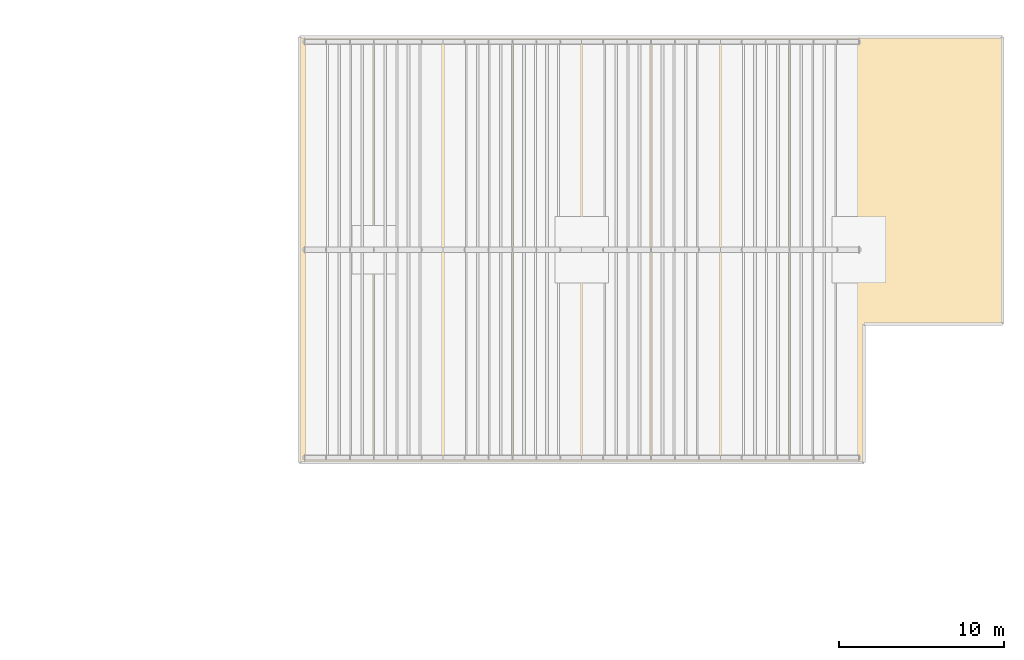
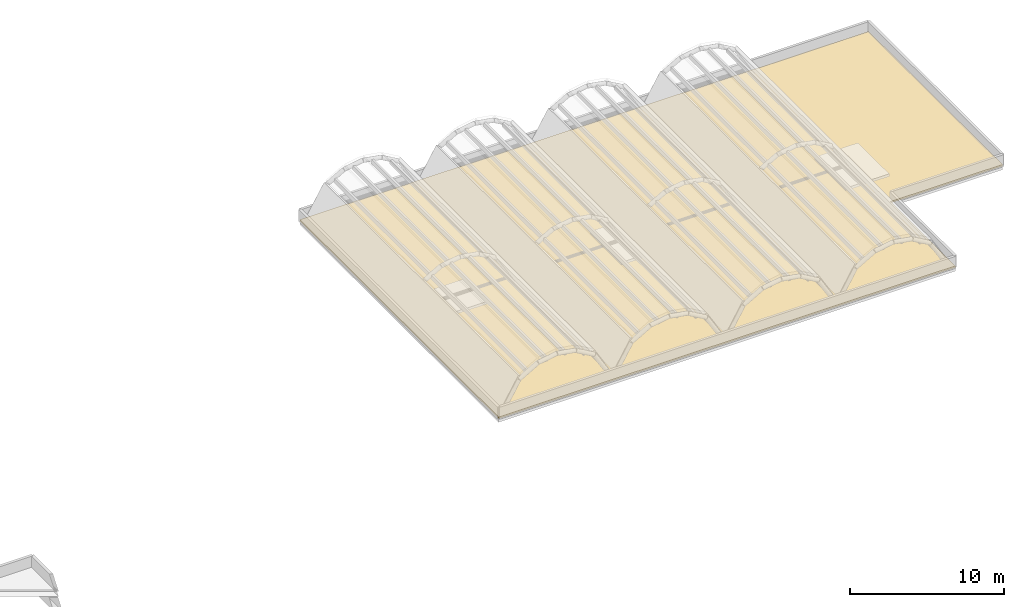
# One storey, part 33 of 34: 1 covering.
"""IFC4 building model written with IfcOpenShell, lengths in metres."""

from ifc_helpers import new_model, si_unit, direction, frame, origin, place, context, subcontext, project, spatial, polyline, outline, extrude, material, layer, layer_set, type_object, element, save


model = new_model("IFC4")

# Units and contexts
model_context = context("Model", 3, precision=1e-05, world=origin(), true_north=direction((0.0, 1.0)))
body_context = subcontext(model_context, "Body", "Model", "MODEL_VIEW")
ifc_project = project(units=[si_unit("LENGTHUNIT", "METRE"), si_unit("AREAUNIT", "SQUARE_METRE"), si_unit("VOLUMEUNIT", "CUBIC_METRE"), si_unit("PLANEANGLEUNIT", "RADIAN"), si_unit("MASSUNIT", "GRAM", prefix="KILO")], contexts=[model_context])

# Site, building, storey
site_placement = place(None, origin())
site = spatial("IfcSite", under=ifc_project, at=site_placement, CompositionType="ELEMENT")
building_placement = place(site_placement, origin())
building = spatial("IfcBuilding", under=site, at=building_placement, Name="Xazarin Passage Department Store", CompositionType="ELEMENT")
storey_placement = place(building_placement, frame((0.0, 0.0, 18.89990234375)))
storey = spatial("IfcBuildingStorey", under=building, at=storey_placement, Name="L04", CompositionType="ELEMENT", Elevation=18.89990234375)

# Covering
ifc_material = material(Name="Insulated waterproof roofing membrane")
ifc_layer = layer(ifc_material, 0.1201171875)
ifc_layer_set = layer_set([ifc_layer], Name="Insulated waterproof roofing membrane")
covering_type = type_object("IfcCoveringType", Name="ARC-COV-RFG120", PredefinedType="ROOFING", material=ifc_layer_set)
covering_placement = place(storey_placement, origin())
element("IfcCovering", 1, at=covering_placement, inside=storey, type_object=covering_type, Name="L04 Insulated Roofing Membrane SLB-V4-TOP-ROOF", PredefinedType="ROOFING", context=body_context, shape_type="SweptSolid", body=[
    extrude(outline(polyline([(136.300048828125, 84.5), (136.300048828125, 92.89990234375), (144.699951171875, 92.89990234375), (144.699951171875, 110.300048828125), (102.10009765625, 110.300048828125), (102.10009765625, 84.5), (136.300048828125, 84.5)])), origin(), (0.0, 0.0, 1.0), 0.1201171875),
])

save(model, "model.ifc")
